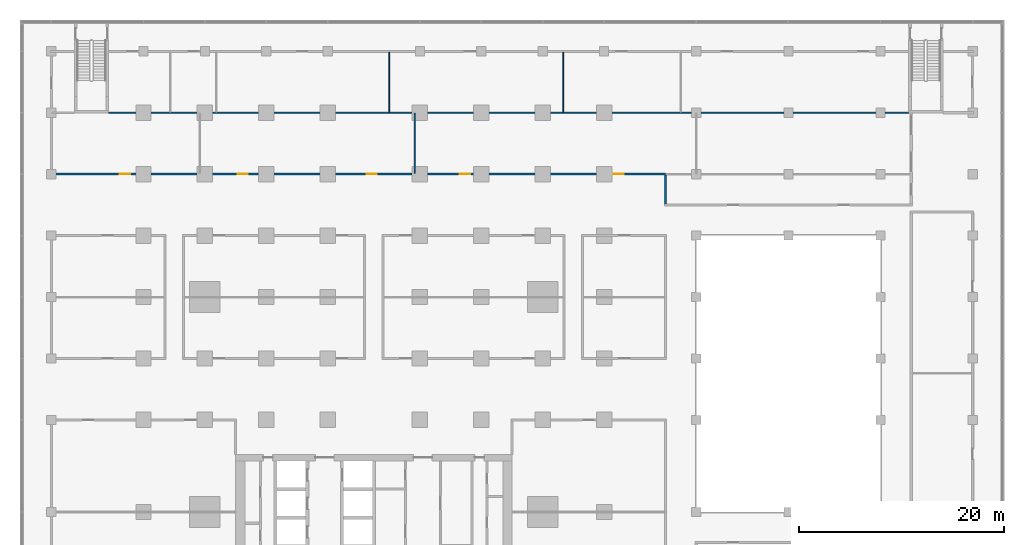
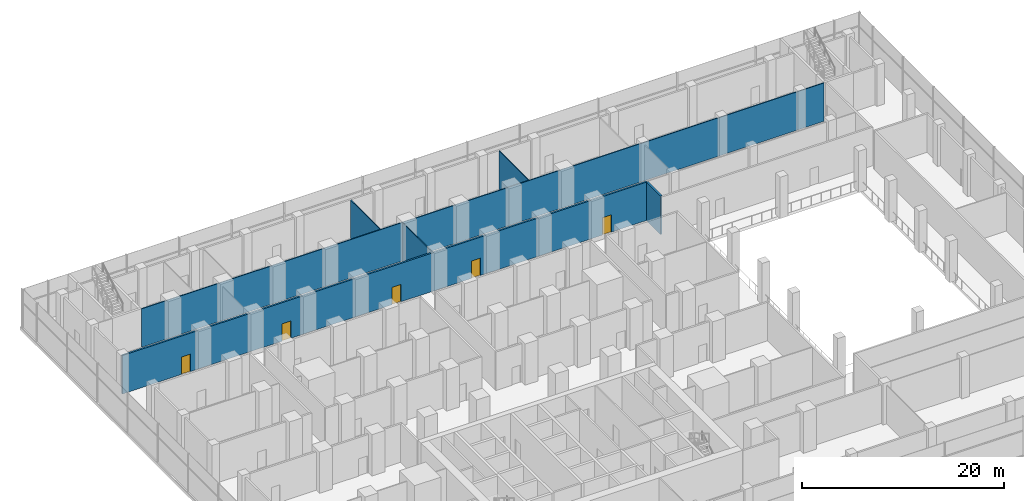
# One storey, part 16 of 22: 6 walls, 5 doors, 5 openings.
"""IFC4 building model written with IfcOpenShell, lengths in metres."""

from ifc_helpers import new_model, si_unit, direction, frame, frame_2d, origin, place, context, subcontext, project, spatial, rectangle, extrude, material, layer, layer_set, type_object, element, fill, save


model = new_model("IFC4")

# Units and contexts
model_context = context("Model", 3, precision=1e-05, world=origin(), true_north=direction((0.0, 1.0)))
body_context = subcontext(model_context, "Body", "Model", "MODEL_VIEW")
ifc_project = project(units=[si_unit("LENGTHUNIT", "METRE"), si_unit("AREAUNIT", "SQUARE_METRE"), si_unit("VOLUMEUNIT", "CUBIC_METRE"), si_unit("PLANEANGLEUNIT", "RADIAN"), si_unit("MASSUNIT", "GRAM", prefix="KILO")], contexts=[model_context])

# Site, building, storey
site_placement = place(None, origin())
site = spatial("IfcSite", under=ifc_project, at=site_placement, CompositionType="ELEMENT")
building_placement = place(site_placement, origin())
building = spatial("IfcBuilding", under=site, at=building_placement, Name="Finial Court Residences", CompositionType="ELEMENT")
storey_placement = place(building_placement, frame((0.0, 0.0, 18.5)))
storey = spatial("IfcBuildingStorey", under=building, at=storey_placement, Name="L03", CompositionType="ELEMENT", Elevation=18.5)

# Wall, openings, doors
ifc_material_1 = material(Name="Gypsum board")
ifc_layer_1 = layer(ifc_material_1, 0.02490234375)
ifc_material_2 = material(Name="Acoustic mineral wool in double frame")
ifc_layer_2 = layer(ifc_material_2, 0.14990234375)
ifc_layer_3 = layer(ifc_material_1, 0.02490234375)
ifc_layer_set_1 = layer_set([ifc_layer_1, ifc_layer_2, ifc_layer_3], Name="Corridor wall 200, 1 hour")
wall_type_1 = type_object("IfcWallType", Name="Corridor wall 200, 1 hour", PredefinedType="PARTITIONING", material=ifc_layer_set_1)
wall_1_placement = place(storey_placement, frame((-31.60009765625, 19.5, 0.0), z_axis=(0.0, 0.0, 1.0), x_axis=(1.0, 0.0, 0.0)))
wall_1 = element("IfcWall", 1, at=wall_1_placement, inside=storey, type_object=wall_type_1, Name="Partition L03-032", PredefinedType="PARTITIONING", context=body_context, shape_type="SweptSolid", body=[
    extrude(rectangle(XDim=60.10009765625, YDim=0.199951171875, at=frame_2d((30.050048828125, 0.0))), origin(), (0.0, 0.0, 1.0), 4.64990234375),
])
opening_1_placement = place(wall_1_placement, frame((6.800048828125, 0.0, 0.0)))
opening_1 = element("IfcOpeningElement", 2, at=opening_1_placement, cuts=wall_1, Name="Opening L03-D030", PredefinedType="OPENING", context=body_context, shape_type="SweptSolid", body=[
    extrude(rectangle(XDim=1.0, YDim=2.10009765625, at=frame_2d((0.5, 1.050048828125))), frame((0.0, 0.10986328125, 0.0), z_axis=(0.0, -1.0, 0.0), x_axis=(1.0, 0.0, 0.0)), (0.0, 0.0, 1.0), 0.219970703125),
])
opening_2_placement = place(wall_1_placement, frame((18.300048828125, 0.0, 0.0)))
opening_2 = element("IfcOpeningElement", 3, at=opening_2_placement, cuts=wall_1, Name="Opening L03-D031", PredefinedType="OPENING", context=body_context, shape_type="SweptSolid", body=[
    extrude(rectangle(XDim=1.0, YDim=2.10009765625, at=frame_2d((0.5, 1.050048828125))), frame((0.0, 0.10986328125, 0.0), z_axis=(0.0, -1.0, 0.0), x_axis=(1.0, 0.0, 0.0)), (0.0, 0.0, 1.0), 0.219970703125),
])
opening_3_placement = place(wall_1_placement, frame((30.89990234375, 0.0, 0.0)))
opening_3 = element("IfcOpeningElement", 4, at=opening_3_placement, cuts=wall_1, Name="Opening L03-D032", PredefinedType="OPENING", context=body_context, shape_type="SweptSolid", body=[
    extrude(rectangle(XDim=1.0, YDim=2.10009765625, at=frame_2d((0.5, 1.050048828125))), frame((0.0, 0.10986328125, 0.0), z_axis=(0.0, -1.0, 0.0), x_axis=(1.0, 0.0, 0.0)), (0.0, 0.0, 1.0), 0.219970703125),
])
opening_4_placement = place(wall_1_placement, frame((40.0, 0.0, 0.0)))
opening_4 = element("IfcOpeningElement", 5, at=opening_4_placement, cuts=wall_1, Name="Opening L03-D033", PredefinedType="OPENING", context=body_context, shape_type="SweptSolid", body=[
    extrude(rectangle(XDim=1.0, YDim=2.10009765625, at=frame_2d((0.5, 1.050048828125))), frame((0.0, 0.10986328125, 0.0), z_axis=(0.0, -1.0, 0.0), x_axis=(1.0, 0.0, 0.0)), (0.0, 0.0, 1.0), 0.219970703125),
])
opening_5_placement = place(wall_1_placement, frame((55.0, 0.0, 0.0)))
opening_5 = element("IfcOpeningElement", 6, at=opening_5_placement, cuts=wall_1, Name="Opening L03-D034", PredefinedType="OPENING", context=body_context, shape_type="SweptSolid", body=[
    extrude(rectangle(XDim=1.0, YDim=2.10009765625, at=frame_2d((0.5, 1.050048828125))), frame((0.0, 0.10986328125, 0.0), z_axis=(0.0, -1.0, 0.0), x_axis=(1.0, 0.0, 0.0)), (0.0, 0.0, 1.0), 0.219970703125),
])
ifc_material_3 = material(Name="Timber door leaf in hollow metal frame", Category="wood")
door_type = type_object("IfcDoorType", Name="Fire door set 1000 x 2100, 30 minutes", OperationType="SINGLE_SWING_LEFT", PredefinedType="DOOR", material=ifc_material_3)
door_1_placement = place(opening_1_placement, origin())
door_1 = element("IfcDoor", 7, at=door_1_placement, inside=storey, type_object=door_type, Name="Door L03-D030", OperationType="SINGLE_SWING_RIGHT", OverallHeight=2.10009765625, OverallWidth=1.0, PredefinedType="DOOR", context=body_context, shape_type="SweptSolid", body=[
    extrude(rectangle(XDim=1.0, YDim=2.10009765625, at=frame_2d((0.5, 1.050048828125))), frame((0.0, 0.02490234375, 0.0), z_axis=(0.0, -1.0, 0.0), x_axis=(1.0, 0.0, 0.0)), (0.0, 0.0, 1.0), 0.050048828125),
])
fill(opening_1, door_1)
door_2_placement = place(opening_2_placement, origin())
door_2 = element("IfcDoor", 8, at=door_2_placement, inside=storey, type_object=door_type, Name="Door L03-D031", OperationType="SINGLE_SWING_RIGHT", OverallHeight=2.10009765625, OverallWidth=1.0, PredefinedType="DOOR", context=body_context, shape_type="SweptSolid", body=[
    extrude(rectangle(XDim=1.0, YDim=2.10009765625, at=frame_2d((0.5, 1.050048828125))), frame((0.0, 0.02490234375, 0.0), z_axis=(0.0, -1.0, 0.0), x_axis=(1.0, 0.0, 0.0)), (0.0, 0.0, 1.0), 0.050048828125),
])
fill(opening_2, door_2)
door_3_placement = place(opening_3_placement, origin())
door_3 = element("IfcDoor", 9, at=door_3_placement, inside=storey, type_object=door_type, Name="Door L03-D032", OperationType="SINGLE_SWING_LEFT", OverallHeight=2.10009765625, OverallWidth=1.0, PredefinedType="DOOR", context=body_context, shape_type="SweptSolid", body=[
    extrude(rectangle(XDim=1.0, YDim=2.10009765625, at=frame_2d((0.5, 1.050048828125))), frame((0.0, 0.02490234375, 0.0), z_axis=(0.0, -1.0, 0.0), x_axis=(1.0, 0.0, 0.0)), (0.0, 0.0, 1.0), 0.050048828125),
])
fill(opening_3, door_3)
door_4_placement = place(opening_4_placement, origin())
door_4 = element("IfcDoor", 10, at=door_4_placement, inside=storey, type_object=door_type, Name="Door L03-D033", OperationType="SINGLE_SWING_LEFT", OverallHeight=2.10009765625, OverallWidth=1.0, PredefinedType="DOOR", context=body_context, shape_type="SweptSolid", body=[
    extrude(rectangle(XDim=1.0, YDim=2.10009765625, at=frame_2d((0.5, 1.050048828125))), frame((0.0, 0.02490234375, 0.0), z_axis=(0.0, -1.0, 0.0), x_axis=(1.0, 0.0, 0.0)), (0.0, 0.0, 1.0), 0.050048828125),
])
fill(opening_4, door_4)
door_5_placement = place(opening_5_placement, origin())
door_5 = element("IfcDoor", 11, at=door_5_placement, inside=storey, type_object=door_type, Name="Door L03-D034", OperationType="SINGLE_SWING_LEFT", OverallHeight=2.10009765625, OverallWidth=1.0, PredefinedType="DOOR", context=body_context, shape_type="SweptSolid", body=[
    extrude(rectangle(XDim=1.0, YDim=2.10009765625, at=frame_2d((0.5, 1.050048828125))), frame((0.0, 0.02490234375, 0.0), z_axis=(0.0, -1.0, 0.0), x_axis=(1.0, 0.0, 0.0)), (0.0, 0.0, 1.0), 0.050048828125),
])
fill(opening_5, door_5)

# Walls
wall_2_placement = place(storey_placement, frame((28.5, 16.60009765625, 0.0), z_axis=(0.0, 0.0, 1.0), x_axis=(0.0, 1.0, 0.0)))
element("IfcWall", 12, at=wall_2_placement, inside=storey, type_object=wall_type_1, Name="Partition L03-064", PredefinedType="PARTITIONING", context=body_context, shape_type="SweptSolid", body=[
    extrude(rectangle(XDim=2.7998046875, YDim=0.199951171875, at=frame_2d((1.39990234375, 0.0))), origin(), (0.0, 0.0, 1.0), 4.64990234375),
])
ifc_layer_4 = layer(ifc_material_1, 0.012451171875)
ifc_material_4 = material(Name="Mineral wool in light-gauge frame")
ifc_layer_5 = layer(ifc_material_4, 0.074951171875)
ifc_layer_6 = layer(ifc_material_1, 0.012451171875)
ifc_layer_set_2 = layer_set([ifc_layer_4, ifc_layer_5, ifc_layer_6], Name="Gypsum board partition 100")
wall_type_2 = type_object("IfcWallType", Name="Gypsum board partition 100", PredefinedType="PARTITIONING", material=ifc_layer_set_2)
wall_3_placement = place(storey_placement, frame((-25.89990234375, 25.5, 0.0), z_axis=(0.0, 0.0, 1.0), x_axis=(1.0, 0.0, 0.0)))
element("IfcWall", 13, at=wall_3_placement, inside=storey, type_object=wall_type_2, Name="Partition L03-036", PredefinedType="PARTITIONING", context=body_context, shape_type="SweptSolid", body=[
    extrude(rectangle(XDim=78.14990234375, YDim=0.10009765625, at=frame_2d((39.074951171875, 0.0))), origin(), (0.0, 0.0, 1.0), 4.64990234375),
])
for number, where, z_axis, x_axis, name in (
    (14, (1.5, 25.550048828125, 0.0), (0.0, 0.0, 1.0), (0.0, 1.0, 0.0), "Partition L03-054"),
    (15, (4.0, 19.60009765625, 0.0), (0.0, 0.0, 1.0), (0.0, 1.0, 0.0), "Partition L03-056"),
    (16, (18.5, 25.550048828125, 0.0), (0.0, 0.0, 1.0), (0.0, 1.0, 0.0), "Partition L03-059"),
):
    element("IfcWall", number, at=place(storey_placement, frame(where, z_axis=z_axis, x_axis=x_axis)), inside=storey, type_object=wall_type_2, Name=name, PredefinedType="PARTITIONING", context=body_context, shape_type="SweptSolid", body=[
        extrude(rectangle(XDim=5.849853515625, YDim=0.10009765625, at=frame_2d((2.9248046875, 0.0))), origin(), (0.0, 0.0, 1.0), 4.64990234375),
    ])

save(model, "model.ifc")
